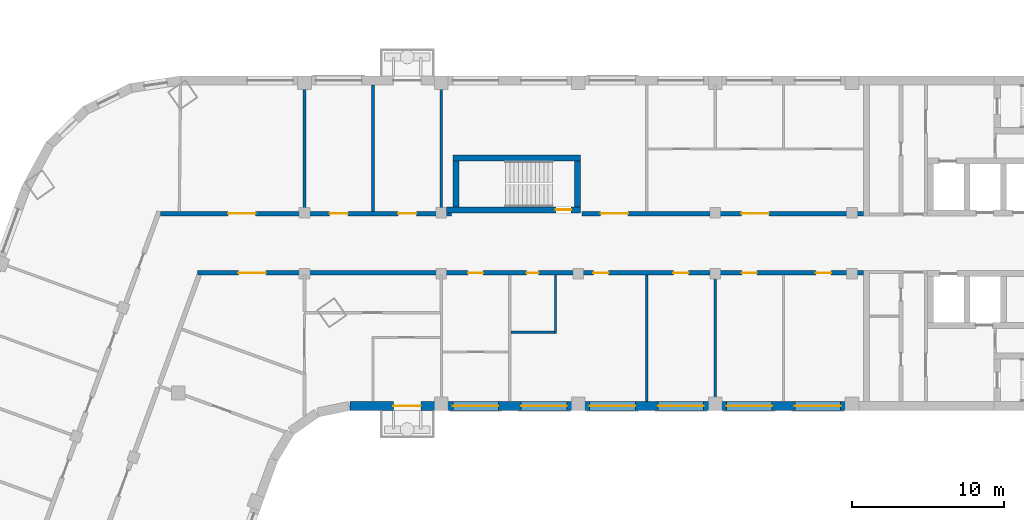
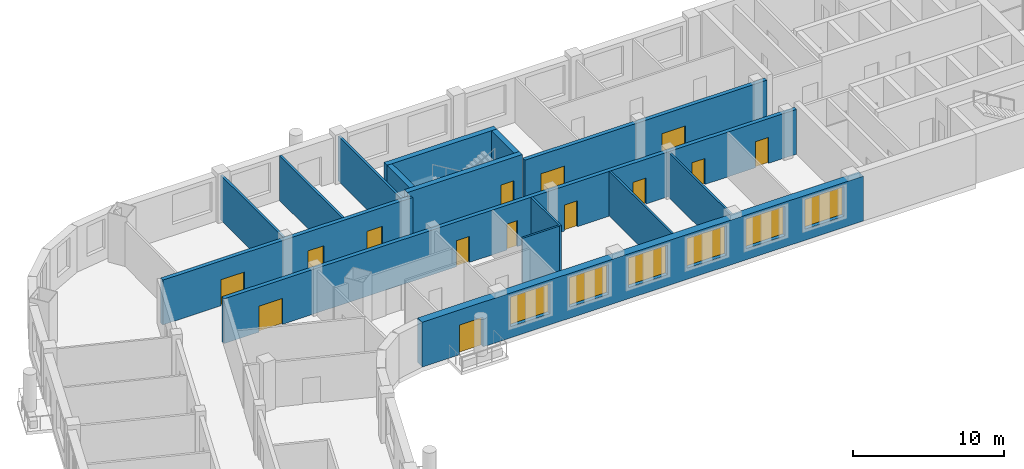
# One storey, part 7 of 18: 15 walls, 14 doors, 6 windows, 20 openings.
"""IFC4 building model written with IfcOpenShell, lengths in metres."""

import ifcopenshell
import ifcopenshell.guid

model = None  # the IFC model being written
_history = None  # IfcOwnerHistory: only IFC2X3 demands one
_inside = {}  # id of a spatial element -> (the spatial element, [elements in it])
_under = {}  # id of a project, library or spatial element -> (it, [spatial elements below it])
_declared = {}  # id of a project -> (the project, [libraries it declares])
_typed = {}  # id of a type object -> (the type object, [elements of that type])
_made_of = {}  # id of a material, layer set ... -> (it, [elements and type objects made of it])


def new_model(schema):
    """Start an empty IFC model of exactly this schema.

    Asked for "IFC4X3", IfcOpenShell would pick the latest addendum, in which some entities
    have other attributes; the version numbers below select the first issue.
    IFC2X3 requires an IfcOwnerHistory on every rooted entity: one is made here for all.
    """
    global model, _history
    if schema == "IFC4X3":
        model = ifcopenshell.file(schema_version=(4, 3, 0, 0))
    else:
        model = ifcopenshell.file(schema=schema)
    _inside.clear()
    _under.clear()
    _declared.clear()
    _typed.clear()
    _made_of.clear()
    _history = None
    if model.schema == "IFC2X3":
        org = make("IfcOrganization", Name="unknown")
        user = make(
            "IfcPersonAndOrganization",
            ThePerson=make("IfcPerson", FamilyName="unknown"),
            TheOrganization=org,
        )
        app = make(
            "IfcApplication",
            ApplicationDeveloper=org,
            Version="unknown",
            ApplicationFullName="unknown",
            ApplicationIdentifier="unknown",
        )
        _history = make(
            "IfcOwnerHistory",
            OwningUser=user,
            OwningApplication=app,
            ChangeAction="ADDED",
            CreationDate=0,
        )
    return model


def make(cls, **values):
    """One entity of the class cls with the attributes given. An attribute that is None is left unset."""
    return model.create_entity(
        cls, **{name: value for name, value in values.items() if value is not None}
    )


def rooted(cls, **values):
    """An entity with a GlobalId (a new one), such as an element, a storey or a relation."""
    return make(cls, GlobalId=ifcopenshell.guid.new(), OwnerHistory=_history, **values)


def si_unit(unit_type, name, prefix=None):
    """IfcSIUnit, for example si_unit("LENGTHUNIT", "METRE", prefix="MILLI")."""
    return make("IfcSIUnit", UnitType=unit_type, Prefix=prefix, Name=name)


def assignment(units):
    """IfcUnitAssignment: the units of a project."""
    return None if units is None else make("IfcUnitAssignment", Units=units)


def point(xyz):
    """IfcCartesianPoint."""
    return None if xyz is None else make("IfcCartesianPoint", Coordinates=xyz)


def direction(xyz):
    """IfcDirection."""
    return None if xyz is None else make("IfcDirection", DirectionRatios=xyz)


def frame(location, z_axis=None, x_axis=None):
    """IfcAxis2Placement3D, a coordinate frame: its origin and axes. An axis left out is left unset."""
    return make(
        "IfcAxis2Placement3D",
        Location=point(location),
        Axis=direction(z_axis),
        RefDirection=direction(x_axis),
    )


def frame_2d(location, x_axis=None):
    """IfcAxis2Placement2D, a coordinate frame in the plane: its origin and x axis."""
    return make(
        "IfcAxis2Placement2D", Location=point(location), RefDirection=direction(x_axis)
    )


def origin():
    """The frame at (0, 0, 0) with its axes left unset."""
    return frame((0.0, 0.0, 0.0))


def place(relative_to, where):
    """IfcLocalPlacement: puts the frame where relative to a parent placement (None: the world)."""
    return make(
        "IfcLocalPlacement", PlacementRelTo=relative_to, RelativePlacement=where
    )


def context(
    kind, dimensions, precision=None, world=None, true_north=None, identifier=None
):
    """IfcGeometricRepresentationContext, for example the 3D "Model" context."""
    return make(
        "IfcGeometricRepresentationContext",
        ContextIdentifier=identifier,
        ContextType=kind,
        CoordinateSpaceDimension=dimensions,
        Precision=precision,
        WorldCoordinateSystem=world,
        TrueNorth=true_north,
    )


def subcontext(parent, identifier, kind, view, scale=None):
    """IfcGeometricRepresentationSubContext, for example "Body" below "Model"."""
    return make(
        "IfcGeometricRepresentationSubContext",
        ContextIdentifier=identifier,
        ContextType=kind,
        ParentContext=parent,
        TargetScale=scale,
        TargetView=view,
    )


def project(units=None, contexts=None):
    """IfcProject with its units and contexts."""
    return rooted(
        "IfcProject",
        Name="project",
        RepresentationContexts=contexts,
        UnitsInContext=assignment(units),
    )


def spatial(cls, under=None, at=None, **own):
    """A site, building, storey or space (cls), placed at a placement, below another one or the project."""
    s = rooted(cls, ObjectPlacement=at, **own)
    if under is not None:
        _under.setdefault(under.id(), (under, []))[1].append(s)
    return s


def profile(cls, at=None, kind="AREA", **sizes):
    """A parametric profile (cls). Its sizes go by their IFC names, for example OverallWidth=200.0."""
    return make(cls, ProfileType=kind, Position=at, **sizes)


def rectangle(**sizes):
    """IfcRectangleProfileDef."""
    return profile("IfcRectangleProfileDef", **sizes)


def extrude(swept, where, along, depth):
    """IfcExtrudedAreaSolid: the profile swept, set in the frame where, extruded along a direction by depth."""
    return make(
        "IfcExtrudedAreaSolid",
        SweptArea=swept,
        Position=where,
        ExtrudedDirection=direction(along),
        Depth=depth,
    )


def shape(context_of_items, identifier, shape_type, items):
    """IfcShapeRepresentation: the items that make up one representation, for example the "Body"."""
    return make(
        "IfcShapeRepresentation",
        ContextOfItems=context_of_items,
        RepresentationIdentifier=identifier,
        RepresentationType=shape_type,
        Items=items,
    )


def material(Name=None, Category=None):
    """IfcMaterial."""
    return make("IfcMaterial", Name=Name, Category=Category)


def layer(
    of_material, thickness, ventilated=None, Name=None, Category=None, Priority=None
):
    """IfcMaterialLayer: one layer of a wall or slab, of a material (None: an air gap)."""
    return make(
        "IfcMaterialLayer",
        Material=of_material,
        LayerThickness=thickness,
        IsVentilated=ventilated,
        Name=Name,
        Category=Category,
        Priority=Priority,
    )


def layer_set(layers, Name=None):
    """IfcMaterialLayerSet."""
    return make("IfcMaterialLayerSet", MaterialLayers=layers, LayerSetName=Name)


def made_of(thing, what):
    """Note that an element or type object is made of a material, layer set ...; save() writes the relation."""
    if what is not None:
        _made_of.setdefault(what.id(), (what, []))[1].append(thing)
    return thing


def type_object(cls, material=None, **own):
    """A type object (cls), such as IfcWallType, which elements share."""
    return made_of(rooted(cls, **own), material)


def element(
    cls,
    number,
    at=None,
    inside=None,
    cuts=None,
    type_object=None,
    material=None,
    context=None,
    identifier="Body",
    shape_type=None,
    held_by="IfcProductDefinitionShape",
    body=None,
    shapes=None,
    **own,
):
    """One element of the class cls, such as IfcWall. Its Tag is "e" and its number.

    at: its placement. inside: the storey or other place that contains it. cuts: it is an
    opening in that element (IfcRelVoidsElement). A single representation is given by context,
    identifier, shape_type and body (its items); several are given by shapes. held_by: the class
    of the entity that holds the representations. save() writes the other relations.
    """
    e = rooted(cls, Tag="e%d" % number, ObjectPlacement=at, **own)
    if body is not None:
        shapes = [shape(context, identifier, shape_type, body)]
    if shapes is not None:
        e.Representation = make(held_by, Representations=shapes)
    if inside is not None:
        _inside.setdefault(inside.id(), (inside, []))[1].append(e)
    if cuts is not None:
        rooted(
            "IfcRelVoidsElement", RelatingBuildingElement=cuts, RelatedOpeningElement=e
        )
    if type_object is not None:
        _typed.setdefault(type_object.id(), (type_object, []))[1].append(e)
    return made_of(e, material)


def fill(opening, filler):
    """IfcRelFillsElement: the door or window that sits in an opening."""
    return rooted(
        "IfcRelFillsElement",
        RelatingOpeningElement=opening,
        RelatedBuildingElement=filler,
    )


def aggregate(whole, parts):
    """IfcRelAggregates: a whole, such as a stair, and the parts it consists of."""
    return rooted("IfcRelAggregates", RelatingObject=whole, RelatedObjects=parts)


def save(model, path):
    """Write the relations noted so far, then the file.

    IfcRelAggregates (storeys below a building ...), IfcRelContainedInSpatialStructure (elements
    in a storey), IfcRelDefinesByType, IfcRelAssociatesMaterial and IfcRelDeclares: one each for
    every whole, place, type object, material and project.
    """
    for whole, parts in _under.values():
        aggregate(whole, parts)
    for where, things in _inside.values():
        rooted(
            "IfcRelContainedInSpatialStructure",
            RelatedElements=things,
            RelatingStructure=where,
        )
    for kind, things in _typed.values():
        rooted("IfcRelDefinesByType", RelatedObjects=things, RelatingType=kind)
    for what, things in _made_of.values():
        rooted("IfcRelAssociatesMaterial", RelatedObjects=things, RelatingMaterial=what)
    for by, libraries in _declared.values():
        rooted("IfcRelDeclares", RelatingContext=by, RelatedDefinitions=libraries)
    model.write(path)


model = new_model("IFC4")

# Units and contexts
model_context = context("Model", 3, precision=1e-05, world=origin(), true_north=direction((0.0, 1.0)))
body_context = subcontext(model_context, "Body", "Model", "MODEL_VIEW")
ifc_project = project(units=[si_unit("LENGTHUNIT", "METRE"), si_unit("AREAUNIT", "SQUARE_METRE"), si_unit("VOLUMEUNIT", "CUBIC_METRE"), si_unit("PLANEANGLEUNIT", "RADIAN"), si_unit("MASSUNIT", "GRAM", prefix="KILO")], contexts=[model_context])

# Site, building, storey
site_placement = place(None, origin())
site = spatial("IfcSite", under=ifc_project, at=site_placement, CompositionType="ELEMENT")
building_placement = place(site_placement, origin())
building = spatial("IfcBuilding", under=site, at=building_placement, Name="Skarvind Civic Tower", CompositionType="ELEMENT")
storey_placement = place(building_placement, frame((0.0, 0.0, 31.5)))
storey = spatial("IfcBuildingStorey", under=building, at=storey_placement, Name="L06", CompositionType="ELEMENT", Elevation=31.5)

# Walls
ifc_material_1 = material(Name="Acoustic gypsum board on steel studs", Category="steel")
ifc_layer_1 = layer(ifc_material_1, 0.175048828125)
ifc_layer_set_1 = layer_set([ifc_layer_1], Name="ACOUSTIC MEETING-ROOM PARTITION 175")
wall_type_1 = type_object("IfcWallType", Name="ACOUSTIC MEETING-ROOM PARTITION 175", PredefinedType="PARTITIONING", material=ifc_layer_set_1)
for number, where, z_axis, x_axis, name in (
    (1, (54.25, 138.39990234375, 0.0), (0.0, 0.0, 1.0), (0.0, -1.0, 0.0), "Partition 06.025"),
    (2, (58.75, 130.10009765625, 0.0), (0.0, 0.0, 1.0), (0.0, 1.0, 0.0), "Partition 06.027"),
):
    element("IfcWall", number, at=place(storey_placement, frame(where, z_axis=z_axis, x_axis=x_axis)), inside=storey, type_object=wall_type_1, Name=name, PredefinedType="PARTITIONING", context=body_context, shape_type="SweptSolid", body=[
        extrude(rectangle(XDim=8.2998046875, YDim=0.175048828125, at=frame_2d((4.14990234375, 0.0))), origin(), (0.0, 0.0, 1.0), 3.625),
    ])
wall_1_placement = place(storey_placement, frame((63.25, 130.10107421875, 0.0), z_axis=(0.0, 0.0, 1.0), x_axis=(0.0, 1.0, 0.0)))
element("IfcWall", 3, at=wall_1_placement, inside=storey, type_object=wall_type_1, Name="Partition 06.032", PredefinedType="PARTITIONING", context=body_context, shape_type="SweptSolid", body=[
    extrude(rectangle(XDim=8.2978515625, YDim=0.175048828125, at=frame_2d((4.14892578125, 0.0))), origin(), (0.0, 0.0, 1.0), 3.625),
])

# Wall, openings, doors
ifc_material_2 = material(Name="Fire-rated gypsum board on steel studs", Category="steel")
ifc_layer_2 = layer(ifc_material_2, 0.300048828125)
ifc_layer_set_2 = layer_set([ifc_layer_2], Name="CORRIDOR WALL 300")
wall_type_2 = type_object("IfcWallType", Name="CORRIDOR WALL 300", PredefinedType="PARTITIONING", material=ifc_layer_set_2)
wall_2_placement = place(storey_placement, frame((44.784912109375, 129.949951171875, 0.0), z_axis=(0.0, 0.0, 1.0), x_axis=(1.0, 0.0, 0.0)))
wall_2 = element("IfcWall", 4, at=wall_2_placement, inside=storey, type_object=wall_type_2, Name="Partition 06.014", PredefinedType="PARTITIONING", context=body_context, shape_type="SweptSolid", body=[
    extrude(rectangle(XDim=19.114990234375, YDim=0.300048828125, at=frame_2d((9.5576171875, 0.0))), origin(), (0.0, 0.0, 1.0), 3.625),
])
opening_1_placement = place(wall_2_placement, frame((15.614990234375, 0.0, 0.0)))
opening_1 = element("IfcOpeningElement", 5, at=opening_1_placement, cuts=wall_2, Name="Opening L06-D006", PredefinedType="OPENING", context=body_context, shape_type="SweptSolid", body=[
    extrude(rectangle(XDim=1.199951171875, YDim=2.10009765625, at=frame_2d((0.60009765625, 1.050048828125))), frame((0.0, 0.159912109375, 0.0), z_axis=(0.0, -1.0, 0.0), x_axis=(1.0, 0.0, 0.0)), (0.0, 0.0, 1.0), 0.320068359375),
])
opening_2_placement = place(wall_2_placement, frame((11.114990234375, 0.0, 0.0)))
opening_2 = element("IfcOpeningElement", 6, at=opening_2_placement, cuts=wall_2, Name="Opening L06-D007", PredefinedType="OPENING", context=body_context, shape_type="SweptSolid", body=[
    extrude(rectangle(XDim=1.199951171875, YDim=2.10009765625, at=frame_2d((0.60009765625, 1.050048828125))), frame((0.0, 0.159912109375, 0.0), z_axis=(0.0, -1.0, 0.0), x_axis=(1.0, 0.0, 0.0)), (0.0, 0.0, 1.0), 0.320068359375),
])
opening_3_placement = place(wall_2_placement, frame((4.448486328125, 0.0, 0.0)))
opening_3 = element("IfcOpeningElement", 7, at=opening_3_placement, cuts=wall_2, Name="Opening L06-D028", PredefinedType="OPENING", context=body_context, shape_type="SweptSolid", body=[
    extrude(rectangle(XDim=1.800048828125, YDim=2.10009765625, at=frame_2d((0.89990234375, 1.050048828125))), frame((0.0, 0.159912109375, 0.0), z_axis=(0.0, -1.0, 0.0), x_axis=(1.0, 0.0, 0.0)), (0.0, 0.0, 1.0), 0.320068359375),
])
ifc_material_3 = material(Name="Fire-rated timber door leaf", Category="wood")
door_type_1 = type_object("IfcDoorType", Name="FD4 1800x2100", OperationType="NOTDEFINED", PredefinedType="DOOR", material=ifc_material_3)
door_1_placement = place(opening_3_placement, origin())
door_1 = element("IfcDoor", 8, at=door_1_placement, inside=storey, type_object=door_type_1, Name="Door L06-D028", OperationType="DOUBLE_DOOR_SINGLE_SWING", OverallHeight=2.10009765625, OverallWidth=1.800048828125, PredefinedType="DOOR", context=body_context, shape_type="SweptSolid", body=[
    extrude(rectangle(XDim=1.800048828125, YDim=2.10009765625, at=frame_2d((0.89990234375, 1.050048828125))), frame((0.0, 0.02490234375, 0.0), z_axis=(0.0, -1.0, 0.0), x_axis=(1.0, 0.0, 0.0)), (0.0, 0.0, 1.0), 0.050048828125),
])
fill(opening_3, door_1)
door_type_2 = type_object("IfcDoorType", Name="FD6 1200x2100 DOUBLE", OperationType="NOTDEFINED", PredefinedType="DOOR", material=ifc_material_3)
door_2_placement = place(opening_1_placement, origin())
door_2 = element("IfcDoor", 9, at=door_2_placement, inside=storey, type_object=door_type_2, Name="Door L06-D006", OperationType="DOUBLE_DOOR_SINGLE_SWING", OverallHeight=2.10009765625, OverallWidth=1.199951171875, PredefinedType="DOOR", context=body_context, shape_type="SweptSolid", body=[
    extrude(rectangle(XDim=1.199951171875, YDim=2.10009765625, at=frame_2d((0.60009765625, 1.050048828125))), frame((0.0, 0.02490234375, 0.0), z_axis=(0.0, -1.0, 0.0), x_axis=(1.0, 0.0, 0.0)), (0.0, 0.0, 1.0), 0.050048828125),
])
fill(opening_1, door_2)
door_3_placement = place(opening_2_placement, origin())
door_3 = element("IfcDoor", 10, at=door_3_placement, inside=storey, type_object=door_type_2, Name="Door L06-D007", OperationType="DOUBLE_DOOR_SINGLE_SWING", OverallHeight=2.10009765625, OverallWidth=1.199951171875, PredefinedType="DOOR", context=body_context, shape_type="SweptSolid", body=[
    extrude(rectangle(XDim=1.199951171875, YDim=2.10009765625, at=frame_2d((0.60009765625, 1.050048828125))), frame((0.0, 0.02490234375, 0.0), z_axis=(0.0, -1.0, 0.0), x_axis=(1.0, 0.0, 0.0)), (0.0, 0.0, 1.0), 0.050048828125),
])
fill(opening_2, door_3)

wall_3_placement = place(storey_placement, frame((72.5, 129.949951171875, 0.0), z_axis=(0.0, 0.0, 1.0), x_axis=(1.0, 0.0, 0.0)))
wall_3 = element("IfcWall", 11, at=wall_3_placement, inside=storey, type_object=wall_type_2, Name="Partition 06.036", PredefinedType="PARTITIONING", context=body_context, shape_type="SweptSolid", body=[
    extrude(rectangle(XDim=18.5, YDim=0.300048828125, at=frame_2d((9.25, 0.0))), origin(), (0.0, 0.0, 1.0), 3.625),
])
opening_4_placement = place(wall_3_placement, frame((10.47509765625, 0.0, 0.0)))
opening_4 = element("IfcOpeningElement", 12, at=opening_4_placement, cuts=wall_3, Name="Opening L06-D004", PredefinedType="OPENING", context=body_context, shape_type="SweptSolid", body=[
    extrude(rectangle(XDim=1.800048828125, YDim=2.10009765625, at=frame_2d((0.89990234375, 1.050048828125))), frame((0.0, 0.159912109375, 0.0), z_axis=(0.0, -1.0, 0.0), x_axis=(1.0, 0.0, 0.0)), (0.0, 0.0, 1.0), 0.320068359375),
])
opening_5_placement = place(wall_3_placement, frame((1.22509765625, 0.0, 0.0)))
opening_5 = element("IfcOpeningElement", 13, at=opening_5_placement, cuts=wall_3, Name="Opening L06-D005", PredefinedType="OPENING", context=body_context, shape_type="SweptSolid", body=[
    extrude(rectangle(XDim=1.800048828125, YDim=2.10009765625, at=frame_2d((0.89990234375, 1.050048828125))), frame((0.0, 0.159912109375, 0.0), z_axis=(0.0, -1.0, 0.0), x_axis=(1.0, 0.0, 0.0)), (0.0, 0.0, 1.0), 0.320068359375),
])
door_4_placement = place(opening_4_placement, origin())
door_4 = element("IfcDoor", 14, at=door_4_placement, inside=storey, type_object=door_type_1, Name="Door L06-D004", OperationType="DOUBLE_DOOR_SINGLE_SWING", OverallHeight=2.10009765625, OverallWidth=1.800048828125, PredefinedType="DOOR", context=body_context, shape_type="SweptSolid", body=[
    extrude(rectangle(XDim=1.800048828125, YDim=2.10009765625, at=frame_2d((0.89990234375, 1.050048828125))), frame((0.0, 0.02490234375, 0.0), z_axis=(0.0, -1.0, 0.0), x_axis=(1.0, 0.0, 0.0)), (0.0, 0.0, 1.0), 0.050048828125),
])
fill(opening_4, door_4)
door_5_placement = place(opening_5_placement, origin())
door_5 = element("IfcDoor", 15, at=door_5_placement, inside=storey, type_object=door_type_1, Name="Door L06-D005", OperationType="DOUBLE_DOOR_SINGLE_SWING", OverallHeight=2.10009765625, OverallWidth=1.800048828125, PredefinedType="DOOR", context=body_context, shape_type="SweptSolid", body=[
    extrude(rectangle(XDim=1.800048828125, YDim=2.10009765625, at=frame_2d((0.89990234375, 1.050048828125))), frame((0.0, 0.02490234375, 0.0), z_axis=(0.0, -1.0, 0.0), x_axis=(1.0, 0.0, 0.0)), (0.0, 0.0, 1.0), 0.050048828125),
])
fill(opening_5, door_5)

wall_4_placement = place(storey_placement, frame((91.0, 126.050048828125, 0.0), z_axis=(0.0, 0.0, 1.0), x_axis=(-1.0, 0.0, 0.0)))
wall_4 = element("IfcWall", 16, at=wall_4_placement, inside=storey, type_object=wall_type_2, Name="Partition 06.044", PredefinedType="PARTITIONING", context=body_context, shape_type="SweptSolid", body=[
    extrude(rectangle(XDim=43.784912109375, YDim=0.300048828125, at=frame_2d((21.892578125, 0.0))), origin(), (0.0, 0.0, 1.0), 3.625),
])
opening_6_placement = place(wall_4_placement, frame((2.125, 0.0, 0.0)))
opening_6 = element("IfcOpeningElement", 17, at=opening_6_placement, cuts=wall_4, Name="Opening L06-D008", PredefinedType="OPENING", context=body_context, shape_type="SweptSolid", body=[
    extrude(rectangle(XDim=1.0, YDim=2.10009765625, at=frame_2d((0.5, 1.050048828125))), frame((0.0, 0.159912109375, 0.0), z_axis=(0.0, -1.0, 0.0), x_axis=(1.0, 0.0, 0.0)), (0.0, 0.0, 1.0), 0.320068359375),
])
opening_7_placement = place(wall_4_placement, frame((7.0, 0.0, 0.0)))
opening_7 = element("IfcOpeningElement", 18, at=opening_7_placement, cuts=wall_4, Name="Opening L06-D009", PredefinedType="OPENING", context=body_context, shape_type="SweptSolid", body=[
    extrude(rectangle(XDim=1.0, YDim=2.10009765625, at=frame_2d((0.5, 1.050048828125))), frame((0.0, 0.159912109375, 0.0), z_axis=(0.0, -1.0, 0.0), x_axis=(1.0, 0.0, 0.0)), (0.0, 0.0, 1.0), 0.320068359375),
])
opening_8_placement = place(wall_4_placement, frame((11.5, 0.0, 0.0)))
opening_8 = element("IfcOpeningElement", 19, at=opening_8_placement, cuts=wall_4, Name="Opening L06-D010", PredefinedType="OPENING", context=body_context, shape_type="SweptSolid", body=[
    extrude(rectangle(XDim=1.0, YDim=2.10009765625, at=frame_2d((0.5, 1.050048828125))), frame((0.0, 0.159912109375, 0.0), z_axis=(0.0, -1.0, 0.0), x_axis=(1.0, 0.0, 0.0)), (0.0, 0.0, 1.0), 0.320068359375),
])
opening_9_placement = place(wall_4_placement, frame((21.35009765625, 0.0, 0.0)))
opening_9 = element("IfcOpeningElement", 20, at=opening_9_placement, cuts=wall_4, Name="Opening L06-D011", PredefinedType="OPENING", context=body_context, shape_type="SweptSolid", body=[
    extrude(rectangle(XDim=0.800048828125, YDim=2.10009765625, at=frame_2d((0.39990234375, 1.050048828125))), frame((0.0, 0.159912109375, 0.0), z_axis=(0.0, -1.0, 0.0), x_axis=(1.0, 0.0, 0.0)), (0.0, 0.0, 1.0), 0.320068359375),
])
opening_10_placement = place(wall_4_placement, frame((16.75, 0.0, 0.0)))
opening_10 = element("IfcOpeningElement", 21, at=opening_10_placement, cuts=wall_4, Name="Opening L06-D012", PredefinedType="OPENING", context=body_context, shape_type="SweptSolid", body=[
    extrude(rectangle(XDim=1.0, YDim=2.10009765625, at=frame_2d((0.5, 1.050048828125))), frame((0.0, 0.159912109375, 0.0), z_axis=(0.0, -1.0, 0.0), x_axis=(1.0, 0.0, 0.0)), (0.0, 0.0, 1.0), 0.320068359375),
])
opening_11_placement = place(wall_4_placement, frame((25.0, 0.0, 0.0)))
opening_11 = element("IfcOpeningElement", 22, at=opening_11_placement, cuts=wall_4, Name="Opening L06-D013", PredefinedType="OPENING", context=body_context, shape_type="SweptSolid", body=[
    extrude(rectangle(XDim=1.0, YDim=2.10009765625, at=frame_2d((0.5, 1.050048828125))), frame((0.0, 0.159912109375, 0.0), z_axis=(0.0, -1.0, 0.0), x_axis=(1.0, 0.0, 0.0)), (0.0, 0.0, 1.0), 0.320068359375),
])
opening_12_placement = place(wall_4_placement, frame((39.2958984375, 0.0, 0.0)))
opening_12 = element("IfcOpeningElement", 23, at=opening_12_placement, cuts=wall_4, Name="Opening L06-D029", PredefinedType="OPENING", context=body_context, shape_type="SweptSolid", body=[
    extrude(rectangle(XDim=1.800048828125, YDim=2.10009765625, at=frame_2d((0.89990234375, 1.050048828125))), frame((0.0, 0.159912109375, 0.0), z_axis=(0.0, -1.0, 0.0), x_axis=(1.0, 0.0, 0.0)), (0.0, 0.0, 1.0), 0.320068359375),
])
door_type_3 = type_object("IfcDoorType", Name="FD1 1000x2100", OperationType="NOTDEFINED", PredefinedType="DOOR", material=ifc_material_3)
door_6_placement = place(opening_6_placement, origin())
door_6 = element("IfcDoor", 24, at=door_6_placement, inside=storey, type_object=door_type_3, Name="Door L06-D008", OperationType="SINGLE_SWING_LEFT", OverallHeight=2.10009765625, OverallWidth=1.0, PredefinedType="DOOR", context=body_context, shape_type="SweptSolid", body=[
    extrude(rectangle(XDim=1.0, YDim=2.10009765625, at=frame_2d((0.5, 1.050048828125))), frame((0.0, 0.02490234375, 0.0), z_axis=(0.0, -1.0, 0.0), x_axis=(1.0, 0.0, 0.0)), (0.0, 0.0, 1.0), 0.050048828125),
])
fill(opening_6, door_6)
door_7_placement = place(opening_7_placement, origin())
door_7 = element("IfcDoor", 25, at=door_7_placement, inside=storey, type_object=door_type_3, Name="Door L06-D009", OperationType="SINGLE_SWING_RIGHT", OverallHeight=2.10009765625, OverallWidth=1.0, PredefinedType="DOOR", context=body_context, shape_type="SweptSolid", body=[
    extrude(rectangle(XDim=1.0, YDim=2.10009765625, at=frame_2d((0.5, 1.050048828125))), frame((0.0, 0.02490234375, 0.0), z_axis=(0.0, -1.0, 0.0), x_axis=(1.0, 0.0, 0.0)), (0.0, 0.0, 1.0), 0.050048828125),
])
fill(opening_7, door_7)
door_8_placement = place(opening_8_placement, origin())
door_8 = element("IfcDoor", 26, at=door_8_placement, inside=storey, type_object=door_type_3, Name="Door L06-D010", OperationType="SINGLE_SWING_LEFT", OverallHeight=2.10009765625, OverallWidth=1.0, PredefinedType="DOOR", context=body_context, shape_type="SweptSolid", body=[
    extrude(rectangle(XDim=1.0, YDim=2.10009765625, at=frame_2d((0.5, 1.050048828125))), frame((0.0, 0.02490234375, 0.0), z_axis=(0.0, -1.0, 0.0), x_axis=(1.0, 0.0, 0.0)), (0.0, 0.0, 1.0), 0.050048828125),
])
fill(opening_8, door_8)
door_9_placement = place(opening_10_placement, origin())
door_9 = element("IfcDoor", 27, at=door_9_placement, inside=storey, type_object=door_type_3, Name="Door L06-D012", OperationType="SINGLE_SWING_LEFT", OverallHeight=2.10009765625, OverallWidth=1.0, PredefinedType="DOOR", context=body_context, shape_type="SweptSolid", body=[
    extrude(rectangle(XDim=1.0, YDim=2.10009765625, at=frame_2d((0.5, 1.050048828125))), frame((0.0, 0.02490234375, 0.0), z_axis=(0.0, -1.0, 0.0), x_axis=(1.0, 0.0, 0.0)), (0.0, 0.0, 1.0), 0.050048828125),
])
fill(opening_10, door_9)
door_10_placement = place(opening_11_placement, origin())
door_10 = element("IfcDoor", 28, at=door_10_placement, inside=storey, type_object=door_type_3, Name="Door L06-D013", OperationType="SINGLE_SWING_LEFT", OverallHeight=2.10009765625, OverallWidth=1.0, PredefinedType="DOOR", context=body_context, shape_type="SweptSolid", body=[
    extrude(rectangle(XDim=1.0, YDim=2.10009765625, at=frame_2d((0.5, 1.050048828125))), frame((0.0, 0.02490234375, 0.0), z_axis=(0.0, -1.0, 0.0), x_axis=(1.0, 0.0, 0.0)), (0.0, 0.0, 1.0), 0.050048828125),
])
fill(opening_11, door_10)
door_11_placement = place(opening_12_placement, origin())
door_11 = element("IfcDoor", 29, at=door_11_placement, inside=storey, type_object=door_type_1, Name="Door L06-D029", OperationType="DOUBLE_DOOR_SINGLE_SWING", OverallHeight=2.10009765625, OverallWidth=1.800048828125, PredefinedType="DOOR", context=body_context, shape_type="SweptSolid", body=[
    extrude(rectangle(XDim=1.800048828125, YDim=2.10009765625, at=frame_2d((0.89990234375, 1.050048828125))), frame((0.0, 0.02490234375, 0.0), z_axis=(0.0, -1.0, 0.0), x_axis=(1.0, 0.0, 0.0)), (0.0, 0.0, 1.0), 0.050048828125),
])
fill(opening_12, door_11)
door_type_4 = type_object("IfcDoorType", Name="FD5 800x2100", OperationType="NOTDEFINED", PredefinedType="DOOR", material=ifc_material_3)
door_12_placement = place(opening_9_placement, origin())
door_12 = element("IfcDoor", 30, at=door_12_placement, inside=storey, type_object=door_type_4, Name="Door L06-D011", OperationType="SINGLE_SWING_LEFT", OverallHeight=2.10009765625, OverallWidth=0.800048828125, PredefinedType="DOOR", context=body_context, shape_type="SweptSolid", body=[
    extrude(rectangle(XDim=0.800048828125, YDim=2.10009765625, at=frame_2d((0.39990234375, 1.050048828125))), frame((0.0, 0.02490234375, 0.0), z_axis=(0.0, -1.0, 0.0), x_axis=(1.0, 0.0, 0.0)), (0.0, 0.0, 1.0), 0.050048828125),
])
fill(opening_9, door_12)

# Wall, opening, door
ifc_material_4 = material(Name="Concrete C80", Category="concrete")
ifc_layer_3 = layer(ifc_material_4, 0.39990234375)
ifc_layer_set_3 = layer_set([ifc_layer_3], Name="Core wall 400 C80")
wall_type_3 = type_object("IfcWallType", Name="Core wall 400 C80", PredefinedType="SHEAR", material=ifc_layer_set_3)
wall_5_placement = place(storey_placement, frame((63.60009765625, 130.199951171875, 0.0), z_axis=(0.0, 0.0, 1.0), x_axis=(1.0, 0.0, 0.0)))
wall_5 = element("IfcWall", 31, at=wall_5_placement, inside=storey, type_object=wall_type_3, Name="Core wall CM inner L06", PredefinedType="SHEAR", context=body_context, shape_type="SweptSolid", body=[
    extrude(rectangle(XDim=8.7998046875, YDim=0.39990234375, at=frame_2d((4.39990234375, 0.0))), origin(), (0.0, 0.0, 1.0), 4.0),
])
opening_13_placement = place(wall_5_placement, frame((7.175048828125, 0.0, 0.0)))
opening_13 = element("IfcOpeningElement", 32, at=opening_13_placement, cuts=wall_5, Name="Opening D-L06-CM-01", PredefinedType="OPENING", context=body_context, shape_type="SweptSolid", body=[
    extrude(rectangle(XDim=1.0, YDim=2.10009765625, at=frame_2d((0.5, 1.050048828125))), frame((0.0, 0.2099609375, 0.0), z_axis=(0.0, -1.0, 0.0), x_axis=(1.0, 0.0, 0.0)), (0.0, 0.0, 1.0), 0.419921875),
])
ifc_material_5 = material(Name="Fire-rated steel door", Category="steel")
door_type_5 = type_object("IfcDoorType", Name="Fire door 1000", OperationType="NOTDEFINED", PredefinedType="DOOR", material=ifc_material_5)
door_13_placement = place(opening_13_placement, origin())
door_13 = element("IfcDoor", 33, at=door_13_placement, inside=storey, type_object=door_type_5, Name="Fire door", OperationType="SINGLE_SWING_LEFT", OverallHeight=2.10009765625, OverallWidth=1.0, PredefinedType="DOOR", context=body_context, shape_type="SweptSolid", body=[
    extrude(rectangle(XDim=1.0, YDim=2.10009765625, at=frame_2d((0.5, 1.050048828125))), frame((0.0, 0.02490234375, 0.0), z_axis=(0.0, -1.0, 0.0), x_axis=(1.0, 0.0, 0.0)), (0.0, 0.0, 1.0), 0.050048828125),
])
fill(opening_13, door_13)

# Walls
wall_6_placement = place(storey_placement, frame((64.0, 133.60009765625, 0.0), z_axis=(0.0, 0.0, 1.0), x_axis=(1.0, 0.0, 0.0)))
element("IfcWall", 34, at=wall_6_placement, inside=storey, type_object=wall_type_3, Name="Core wall CM outer L06", PredefinedType="SHEAR", context=body_context, shape_type="SweptSolid", body=[
    extrude(rectangle(XDim=8.39990234375, YDim=0.39990234375, at=frame_2d((4.199951171875, 0.0))), origin(), (0.0, 0.0, 1.0), 4.0),
])
for number, where, z_axis, x_axis, name in (
    (35, (64.199951171875, 130.39990234375, 0.0), (0.0, 0.0, 1.0), (0.0, 1.0, 0.0), "Core wall CM west L06"),
    (36, (72.199951171875, 130.39990234375, 0.0), (0.0, 0.0, 1.0), (0.0, 1.0, 0.0), "Core wall CM end L06"),
):
    element("IfcWall", number, at=place(storey_placement, frame(where, z_axis=z_axis, x_axis=x_axis)), inside=storey, type_object=wall_type_3, Name=name, PredefinedType="SHEAR", context=body_context, shape_type="SweptSolid", body=[
        extrude(rectangle(XDim=3.0, YDim=0.39990234375, at=frame_2d((1.5, 0.0))), origin(), (0.0, 0.0, 1.0), 4.0),
    ])
ifc_material_6 = material(Name="Plasterboard partition on steel studs", Category="steel")
ifc_layer_4 = layer(ifc_material_6, 0.14990234375)
ifc_layer_set_4 = layer_set([ifc_layer_4], Name="PARTITION 150")
wall_type_4 = type_object("IfcWallType", Name="PARTITION 150", PredefinedType="PARTITIONING", material=ifc_layer_set_4)
wall_7_placement = place(storey_placement, frame((70.675048828125, 122.14990234375, 0.0), z_axis=(0.0, 0.0, 1.0), x_axis=(-1.0, 0.0, 0.0)))
element("IfcWall", 37, at=wall_7_placement, inside=storey, type_object=wall_type_4, Name="Partition 06.034", PredefinedType="PARTITIONING", context=body_context, shape_type="SweptSolid", body=[
    extrude(rectangle(XDim=2.85009765625, YDim=0.14990234375, at=frame_2d((1.425048828125, 0.0))), origin(), (0.0, 0.0, 1.0), 3.625),
])
wall_8_placement = place(storey_placement, frame((70.75, 125.89990234375, 0.0), z_axis=(0.0, 0.0, 1.0), x_axis=(0.0, -1.0, 0.0)))
element("IfcWall", 38, at=wall_8_placement, inside=storey, type_object=wall_type_4, Name="Partition 06.035", PredefinedType="PARTITIONING", context=body_context, shape_type="SweptSolid", body=[
    extrude(rectangle(XDim=3.824951171875, YDim=0.14990234375, at=frame_2d((1.91259765625, 0.0))), origin(), (0.0, 0.0, 1.0), 3.625),
])
for number, where, z_axis, x_axis, name in (
    (39, (76.75, 117.60009765625, 0.0), (0.0, 0.0, 1.0), (0.0, 1.0, 0.0), "Partition 06.037"),
    (40, (81.25, 117.60009765625, 0.0), (0.0, 0.0, 1.0), (0.0, 1.0, 0.0), "Partition 06.040"),
):
    element("IfcWall", number, at=place(storey_placement, frame(where, z_axis=z_axis, x_axis=x_axis)), inside=storey, type_object=wall_type_4, Name=name, PredefinedType="PARTITIONING", context=body_context, shape_type="SweptSolid", body=[
        extrude(rectangle(XDim=8.2998046875, YDim=0.14990234375, at=frame_2d((4.14990234375, 0.0))), origin(), (0.0, 0.0, 1.0), 3.625),
    ])

# Wall, openings, door, windows
ifc_material_7 = material(Name="Limestone masonry cladding on insulated backing", Category="masonry")
ifc_layer_5 = layer(ifc_material_7, 0.60009765625)
ifc_layer_set_5 = layer_set([ifc_layer_5], Name="WX1 STONE FACADE WALL 600")
wall_type_5 = type_object("IfcWallType", Name="WX1 STONE FACADE WALL 600", PredefinedType="SOLIDWALL", material=ifc_layer_set_5)
wall_9_placement = place(storey_placement, frame((90.97998046875, 117.300048828125, 0.0), z_axis=(0.0, 0.0, 1.0), x_axis=(-1.0, 0.0, 0.0)))
wall_9 = element("IfcWall", 41, at=wall_9_placement, inside=storey, type_object=wall_type_5, Name="STONE FACADE WALL", PredefinedType="SOLIDWALL", context=body_context, shape_type="SweptSolid", body=[
    extrude(rectangle(XDim=33.744873046875, YDim=0.60009765625, at=frame_2d((16.87255859375, 0.0))), origin(), (0.0, 0.0, 1.0), 3.625),
])
opening_14_placement = place(wall_9_placement, frame((1.47998046875, 0.0, 0.89990234375)))
opening_14 = element("IfcOpeningElement", 42, at=opening_14_placement, cuts=wall_9, Name="Opening WN1", PredefinedType="OPENING", context=body_context, shape_type="SweptSolid", body=[
    extrude(rectangle(XDim=3.0, YDim=2.39990234375, at=frame_2d((1.5, 1.199951171875))), frame((0.0, 0.31005859375, 0.0), z_axis=(0.0, -1.0, 0.0), x_axis=(1.0, 0.0, 0.0)), (0.0, 0.0, 1.0), 0.6201171875),
])
opening_15_placement = place(wall_9_placement, frame((5.97998046875, 0.0, 0.89990234375)))
opening_15 = element("IfcOpeningElement", 43, at=opening_15_placement, cuts=wall_9, Name="Opening WN1", PredefinedType="OPENING", context=body_context, shape_type="SweptSolid", body=[
    extrude(rectangle(XDim=3.0, YDim=2.39990234375, at=frame_2d((1.5, 1.199951171875))), frame((0.0, 0.31005859375, 0.0), z_axis=(0.0, -1.0, 0.0), x_axis=(1.0, 0.0, 0.0)), (0.0, 0.0, 1.0), 0.6201171875),
])
opening_16_placement = place(wall_9_placement, frame((10.47998046875, 0.0, 0.89990234375)))
opening_16 = element("IfcOpeningElement", 44, at=opening_16_placement, cuts=wall_9, Name="Opening WN1", PredefinedType="OPENING", context=body_context, shape_type="SweptSolid", body=[
    extrude(rectangle(XDim=3.0, YDim=2.39990234375, at=frame_2d((1.5, 1.199951171875))), frame((0.0, 0.31005859375, 0.0), z_axis=(0.0, -1.0, 0.0), x_axis=(1.0, 0.0, 0.0)), (0.0, 0.0, 1.0), 0.6201171875),
])
opening_17_placement = place(wall_9_placement, frame((14.97998046875, 0.0, 0.89990234375)))
opening_17 = element("IfcOpeningElement", 45, at=opening_17_placement, cuts=wall_9, Name="Opening WN1", PredefinedType="OPENING", context=body_context, shape_type="SweptSolid", body=[
    extrude(rectangle(XDim=3.0, YDim=2.39990234375, at=frame_2d((1.5, 1.199951171875))), frame((0.0, 0.31005859375, 0.0), z_axis=(0.0, -1.0, 0.0), x_axis=(1.0, 0.0, 0.0)), (0.0, 0.0, 1.0), 0.6201171875),
])
opening_18_placement = place(wall_9_placement, frame((19.47998046875, 0.0, 0.89990234375)))
opening_18 = element("IfcOpeningElement", 46, at=opening_18_placement, cuts=wall_9, Name="Opening WN1", PredefinedType="OPENING", context=body_context, shape_type="SweptSolid", body=[
    extrude(rectangle(XDim=3.0, YDim=2.39990234375, at=frame_2d((1.5, 1.199951171875))), frame((0.0, 0.31005859375, 0.0), z_axis=(0.0, -1.0, 0.0), x_axis=(1.0, 0.0, 0.0)), (0.0, 0.0, 1.0), 0.6201171875),
])
opening_19_placement = place(wall_9_placement, frame((23.97998046875, 0.0, 0.89990234375)))
opening_19 = element("IfcOpeningElement", 47, at=opening_19_placement, cuts=wall_9, Name="Opening WN1", PredefinedType="OPENING", context=body_context, shape_type="SweptSolid", body=[
    extrude(rectangle(XDim=3.0, YDim=2.39990234375, at=frame_2d((1.5, 1.199951171875))), frame((0.0, 0.31005859375, 0.0), z_axis=(0.0, -1.0, 0.0), x_axis=(1.0, 0.0, 0.0)), (0.0, 0.0, 1.0), 0.6201171875),
])
opening_20_placement = place(wall_9_placement, frame((29.080078125, 0.0, 0.0)))
opening_20 = element("IfcOpeningElement", 48, at=opening_20_placement, cuts=wall_9, Name="Opening DX3", PredefinedType="OPENING", context=body_context, shape_type="SweptSolid", body=[
    extrude(rectangle(XDim=1.800048828125, YDim=2.39990234375, at=frame_2d((0.89990234375, 1.199951171875))), frame((0.0, 0.31005859375, 0.0), z_axis=(0.0, -1.0, 0.0), x_axis=(1.0, 0.0, 0.0)), (0.0, 0.0, 1.0), 0.6201171875),
])
ifc_material_8 = material(Name="Timber and glass doorset", Category="wood")
door_type_6 = type_object("IfcDoorType", Name="DX3 TERRACE DOORS 1800 x 2400", OperationType="NOTDEFINED", PredefinedType="DOOR", material=ifc_material_8)
door_14_placement = place(opening_20_placement, origin())
door_14 = element("IfcDoor", 49, at=door_14_placement, inside=storey, type_object=door_type_6, Name="TERRACE DOORS", OperationType="DOUBLE_DOOR_SINGLE_SWING", OverallHeight=2.39990234375, OverallWidth=1.800048828125, PredefinedType="DOOR", context=body_context, shape_type="SweptSolid", body=[
    extrude(rectangle(XDim=1.800048828125, YDim=2.39990234375, at=frame_2d((0.89990234375, 1.199951171875))), frame((0.0, 0.02490234375, 0.0), z_axis=(0.0, -1.0, 0.0), x_axis=(1.0, 0.0, 0.0)), (0.0, 0.0, 1.0), 0.050048828125),
])
fill(opening_20, door_14)
ifc_material_9 = material(Name="Timber frame, double glazing, timber-lined reveal", Category="wood")
window_type = type_object("IfcWindowType", Name="WN1 PUNCHED STONE WINDOW 3000 x 2400", PartitioningType="SINGLE_PANEL", PredefinedType="WINDOW", material=ifc_material_9)
window_1_placement = place(opening_14_placement, origin())
window_1 = element("IfcWindow", 50, at=window_1_placement, inside=storey, type_object=window_type, Name="WN1 WINDOW", OverallHeight=2.39990234375, OverallWidth=3.0, PartitioningType="SINGLE_PANEL", PredefinedType="WINDOW", context=body_context, shape_type="SweptSolid", body=[
    extrude(rectangle(XDim=3.0, YDim=2.39990234375, at=frame_2d((1.5, 1.199951171875))), frame((0.0, 0.030029296875, 0.0), z_axis=(0.0, -1.0, 0.0), x_axis=(1.0, 0.0, 0.0)), (0.0, 0.0, 1.0), 0.06005859375),
])
fill(opening_14, window_1)
window_2_placement = place(opening_15_placement, origin())
window_2 = element("IfcWindow", 51, at=window_2_placement, inside=storey, type_object=window_type, Name="WN1 WINDOW", OverallHeight=2.39990234375, OverallWidth=3.0, PartitioningType="SINGLE_PANEL", PredefinedType="WINDOW", context=body_context, shape_type="SweptSolid", body=[
    extrude(rectangle(XDim=3.0, YDim=2.39990234375, at=frame_2d((1.5, 1.199951171875))), frame((0.0, 0.030029296875, 0.0), z_axis=(0.0, -1.0, 0.0), x_axis=(1.0, 0.0, 0.0)), (0.0, 0.0, 1.0), 0.06005859375),
])
fill(opening_15, window_2)
window_3_placement = place(opening_16_placement, origin())
window_3 = element("IfcWindow", 52, at=window_3_placement, inside=storey, type_object=window_type, Name="WN1 WINDOW", OverallHeight=2.39990234375, OverallWidth=3.0, PartitioningType="SINGLE_PANEL", PredefinedType="WINDOW", context=body_context, shape_type="SweptSolid", body=[
    extrude(rectangle(XDim=3.0, YDim=2.39990234375, at=frame_2d((1.5, 1.199951171875))), frame((0.0, 0.030029296875, 0.0), z_axis=(0.0, -1.0, 0.0), x_axis=(1.0, 0.0, 0.0)), (0.0, 0.0, 1.0), 0.06005859375),
])
fill(opening_16, window_3)
window_4_placement = place(opening_17_placement, origin())
window_4 = element("IfcWindow", 53, at=window_4_placement, inside=storey, type_object=window_type, Name="WN1 WINDOW", OverallHeight=2.39990234375, OverallWidth=3.0, PartitioningType="SINGLE_PANEL", PredefinedType="WINDOW", context=body_context, shape_type="SweptSolid", body=[
    extrude(rectangle(XDim=3.0, YDim=2.39990234375, at=frame_2d((1.5, 1.199951171875))), frame((0.0, 0.030029296875, 0.0), z_axis=(0.0, -1.0, 0.0), x_axis=(1.0, 0.0, 0.0)), (0.0, 0.0, 1.0), 0.06005859375),
])
fill(opening_17, window_4)
window_5_placement = place(opening_18_placement, origin())
window_5 = element("IfcWindow", 54, at=window_5_placement, inside=storey, type_object=window_type, Name="WN1 WINDOW", OverallHeight=2.39990234375, OverallWidth=3.0, PartitioningType="SINGLE_PANEL", PredefinedType="WINDOW", context=body_context, shape_type="SweptSolid", body=[
    extrude(rectangle(XDim=3.0, YDim=2.39990234375, at=frame_2d((1.5, 1.199951171875))), frame((0.0, 0.030029296875, 0.0), z_axis=(0.0, -1.0, 0.0), x_axis=(1.0, 0.0, 0.0)), (0.0, 0.0, 1.0), 0.06005859375),
])
fill(opening_18, window_5)
window_6_placement = place(opening_19_placement, origin())
window_6 = element("IfcWindow", 55, at=window_6_placement, inside=storey, type_object=window_type, Name="WN1 WINDOW", OverallHeight=2.39990234375, OverallWidth=3.0, PartitioningType="SINGLE_PANEL", PredefinedType="WINDOW", context=body_context, shape_type="SweptSolid", body=[
    extrude(rectangle(XDim=3.0, YDim=2.39990234375, at=frame_2d((1.5, 1.199951171875))), frame((0.0, 0.030029296875, 0.0), z_axis=(0.0, -1.0, 0.0), x_axis=(1.0, 0.0, 0.0)), (0.0, 0.0, 1.0), 0.06005859375),
])
fill(opening_19, window_6)

save(model, "model.ifc")
